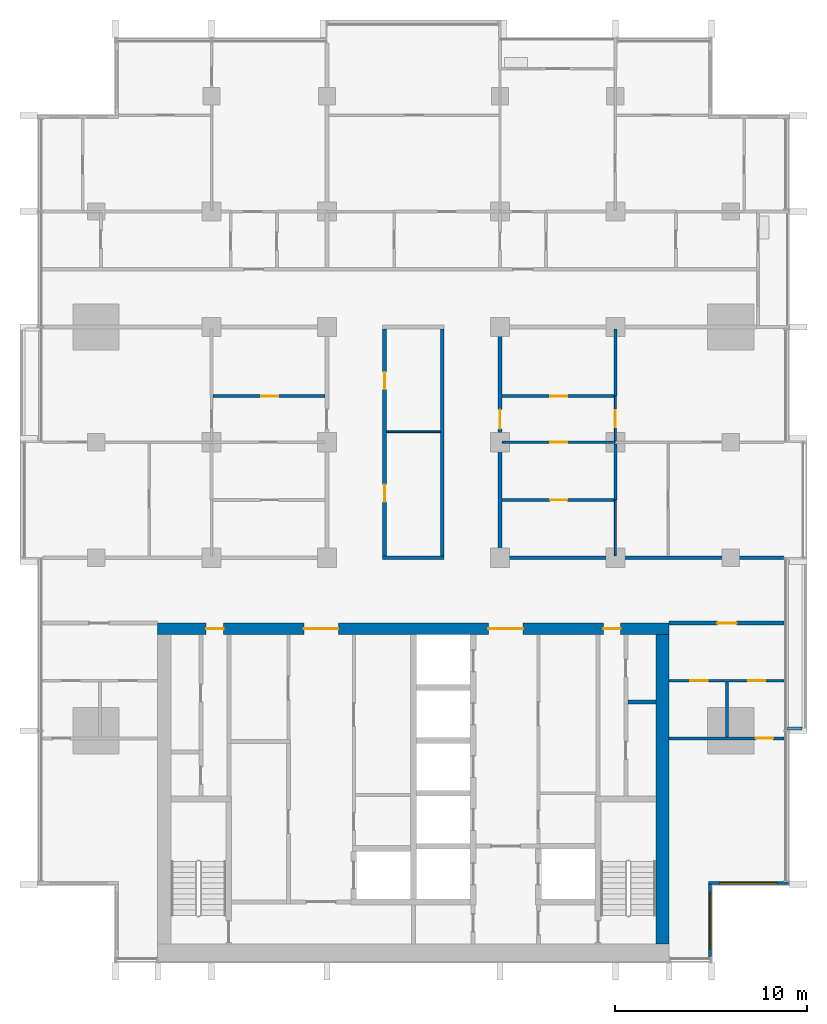
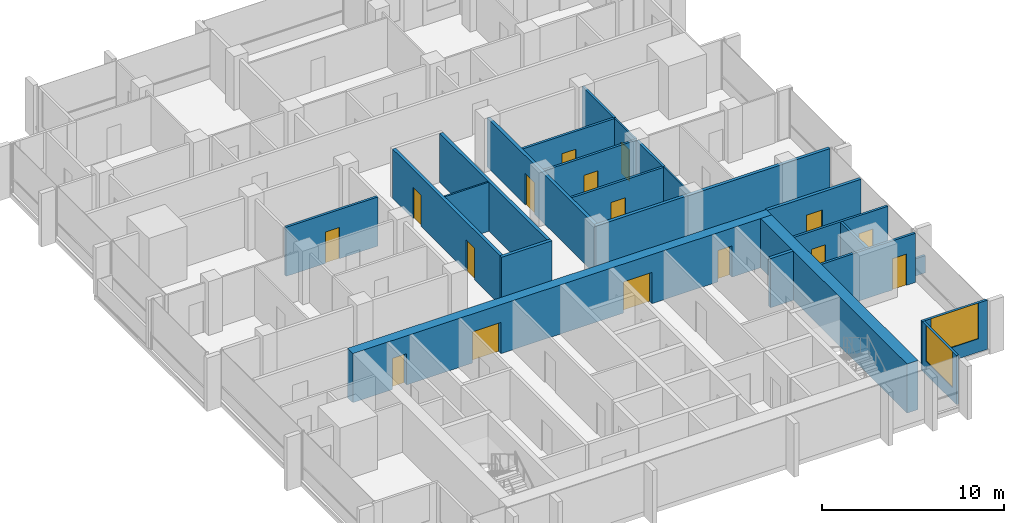
# One storey, part 9 of 17: 24 walls, 16 doors, 2 windows, 18 openings.
"""IFC4 building model written with IfcOpenShell, lengths in metres."""

from ifc_helpers import new_model, si_unit, direction, frame, frame_2d, origin, place, context, subcontext, project, spatial, rectangle, extrude, material, layer, layer_set, type_object, element, fill, save


model = new_model("IFC4")

# Units and contexts
model_context = context("Model", 3, precision=1e-05, world=origin(), true_north=direction((0.0, 1.0)))
body_context = subcontext(model_context, "Body", "Model", "MODEL_VIEW")
ifc_project = project(units=[si_unit("LENGTHUNIT", "METRE"), si_unit("AREAUNIT", "SQUARE_METRE"), si_unit("VOLUMEUNIT", "CUBIC_METRE"), si_unit("PLANEANGLEUNIT", "RADIAN"), si_unit("MASSUNIT", "GRAM", prefix="KILO")], contexts=[model_context])

# Site, building, storey
site_placement = place(None, origin())
site = spatial("IfcSite", under=ifc_project, at=site_placement, CompositionType="ELEMENT")
building_placement = place(site_placement, origin())
building = spatial("IfcBuilding", under=site, at=building_placement, Name="Finial Court Residences", CompositionType="ELEMENT")
storey_placement = place(building_placement, frame((0.0, 0.0, 170.89990234375)))
storey = spatial("IfcBuildingStorey", under=building, at=storey_placement, Name="L42", CompositionType="ELEMENT", Elevation=170.89990234375)

# Wall, openings, doors
ifc_material_1 = material(Name="Concrete C70/85", Category="concrete")
ifc_layer_1 = layer(ifc_material_1, 0.60009765625)
ifc_layer_set_1 = layer_set([ifc_layer_1], Name="Core outer wall 600 Concrete C70/85")
wall_type_1 = type_object("IfcWallType", Name="Core outer wall 600 Concrete C70/85", PredefinedType="SHEAR", material=ifc_layer_set_1)
wall_1_placement = place(storey_placement, frame((-13.300048828125, -8.199951171875, 0.0), z_axis=(0.0, 0.0, 1.0), x_axis=(1.0, 0.0, 0.0)))
wall_1 = element("IfcWall", 1, at=wall_1_placement, inside=storey, type_object=wall_type_1, Name="Core outer wall L42-02", PredefinedType="SHEAR", context=body_context, shape_type="SweptSolid", body=[
    extrude(rectangle(XDim=26.60009765625, YDim=0.60009765625, at=frame_2d((13.300048828125, 0.0))), origin(), (0.0, 0.0, 1.0), 3.300048828125),
])
opening_1_placement = place(wall_1_placement, frame((7.60009765625, 0.0, 0.0)))
opening_1 = element("IfcOpeningElement", 2, at=opening_1_placement, cuts=wall_1, Name="Opening L42-C04", PredefinedType="OPENING", context=body_context, shape_type="SweptSolid", body=[
    extrude(rectangle(XDim=1.800048828125, YDim=2.10009765625, at=frame_2d((0.89990234375, 1.050048828125))), frame((0.0, 0.31005859375, 0.0), z_axis=(0.0, -1.0, 0.0), x_axis=(1.0, 0.0, 0.0)), (0.0, 0.0, 1.0), 0.6201171875),
])
opening_2_placement = place(wall_1_placement, frame((17.199951171875, 0.0, 0.0)))
opening_2 = element("IfcOpeningElement", 3, at=opening_2_placement, cuts=wall_1, Name="Opening L42-C05", PredefinedType="OPENING", context=body_context, shape_type="SweptSolid", body=[
    extrude(rectangle(XDim=1.800048828125, YDim=2.10009765625, at=frame_2d((0.89990234375, 1.050048828125))), frame((0.0, 0.31005859375, 0.0), z_axis=(0.0, -1.0, 0.0), x_axis=(1.0, 0.0, 0.0)), (0.0, 0.0, 1.0), 0.6201171875),
])
opening_3_placement = place(wall_1_placement, frame((2.52490234375, 0.0, 0.0)))
opening_3 = element("IfcOpeningElement", 4, at=opening_3_placement, cuts=wall_1, Name="Opening L42-C10", PredefinedType="OPENING", context=body_context, shape_type="SweptSolid", body=[
    extrude(rectangle(XDim=0.89990234375, YDim=2.10009765625, at=frame_2d((0.449951171875, 1.050048828125))), frame((0.0, 0.31005859375, 0.0), z_axis=(0.0, -1.0, 0.0), x_axis=(1.0, 0.0, 0.0)), (0.0, 0.0, 1.0), 0.6201171875),
])
opening_4_placement = place(wall_1_placement, frame((23.175048828125, 0.0, 0.0)))
opening_4 = element("IfcOpeningElement", 5, at=opening_4_placement, cuts=wall_1, Name="Opening L42-C11", PredefinedType="OPENING", context=body_context, shape_type="SweptSolid", body=[
    extrude(rectangle(XDim=0.89990234375, YDim=2.10009765625, at=frame_2d((0.449951171875, 1.050048828125))), frame((0.0, 0.31005859375, 0.0), z_axis=(0.0, -1.0, 0.0), x_axis=(1.0, 0.0, 0.0)), (0.0, 0.0, 1.0), 0.6201171875),
])
ifc_material_2 = material(Name="Steel fire door", Category="steel")
door_type_1 = type_object("IfcDoorType", Name="Lift lobby door 1800 x 2100 EI 60", OperationType="DOUBLE_DOOR_SINGLE_SWING", PredefinedType="DOOR", material=ifc_material_2)
door_1_placement = place(opening_1_placement, origin())
door_1 = element("IfcDoor", 6, at=door_1_placement, inside=storey, type_object=door_type_1, Name="Lift lobby door L42-C04", OperationType="DOUBLE_DOOR_SINGLE_SWING", OverallHeight=2.10009765625, OverallWidth=1.800048828125, PredefinedType="DOOR", context=body_context, shape_type="SweptSolid", body=[
    extrude(rectangle(XDim=1.800048828125, YDim=2.10009765625, at=frame_2d((0.89990234375, 1.050048828125))), frame((0.0, 0.02490234375, 0.0), z_axis=(0.0, -1.0, 0.0), x_axis=(1.0, 0.0, 0.0)), (0.0, 0.0, 1.0), 0.050048828125),
])
fill(opening_1, door_1)
door_2_placement = place(opening_2_placement, origin())
door_2 = element("IfcDoor", 7, at=door_2_placement, inside=storey, type_object=door_type_1, Name="Lift lobby door L42-C05", OperationType="DOUBLE_DOOR_SINGLE_SWING", OverallHeight=2.10009765625, OverallWidth=1.800048828125, PredefinedType="DOOR", context=body_context, shape_type="SweptSolid", body=[
    extrude(rectangle(XDim=1.800048828125, YDim=2.10009765625, at=frame_2d((0.89990234375, 1.050048828125))), frame((0.0, 0.02490234375, 0.0), z_axis=(0.0, -1.0, 0.0), x_axis=(1.0, 0.0, 0.0)), (0.0, 0.0, 1.0), 0.050048828125),
])
fill(opening_2, door_2)
door_type_2 = type_object("IfcDoorType", Name="Riser room door 900 x 2100 EI 90", OperationType="NOTDEFINED", PredefinedType="DOOR", material=ifc_material_2)
door_3_placement = place(opening_3_placement, origin())
door_3 = element("IfcDoor", 8, at=door_3_placement, inside=storey, type_object=door_type_2, Name="Riser room door L42-C10", OperationType="SINGLE_SWING_RIGHT", OverallHeight=2.10009765625, OverallWidth=0.89990234375, PredefinedType="DOOR", context=body_context, shape_type="SweptSolid", body=[
    extrude(rectangle(XDim=0.89990234375, YDim=2.10009765625, at=frame_2d((0.449951171875, 1.050048828125))), frame((0.0, 0.02490234375, 0.0), z_axis=(0.0, -1.0, 0.0), x_axis=(1.0, 0.0, 0.0)), (0.0, 0.0, 1.0), 0.050048828125),
])
fill(opening_3, door_3)
door_4_placement = place(opening_4_placement, origin())
door_4 = element("IfcDoor", 9, at=door_4_placement, inside=storey, type_object=door_type_2, Name="Riser room door L42-C11", OperationType="SINGLE_SWING_LEFT", OverallHeight=2.10009765625, OverallWidth=0.89990234375, PredefinedType="DOOR", context=body_context, shape_type="SweptSolid", body=[
    extrude(rectangle(XDim=0.89990234375, YDim=2.10009765625, at=frame_2d((0.449951171875, 1.050048828125))), frame((0.0, 0.02490234375, 0.0), z_axis=(0.0, -1.0, 0.0), x_axis=(1.0, 0.0, 0.0)), (0.0, 0.0, 1.0), 0.050048828125),
])
fill(opening_4, door_4)

# Wall
ifc_layer_2 = layer(ifc_material_1, 0.699951171875)
ifc_layer_set_2 = layer_set([ifc_layer_2], Name="Core outer wall 700 Concrete C70/85")
wall_type_2 = type_object("IfcWallType", Name="Core outer wall 700 Concrete C70/85", PredefinedType="SHEAR", material=ifc_layer_set_2)
wall_2_placement = place(storey_placement, frame((12.949951171875, -24.60009765625, 0.0), z_axis=(0.0, 0.0, 1.0), x_axis=(0.0, 1.0, 0.0)))
element("IfcWall", 10, at=wall_2_placement, inside=storey, type_object=wall_type_2, Name="Core outer wall L42-04", PredefinedType="SHEAR", context=body_context, shape_type="SweptSolid", body=[
    extrude(rectangle(XDim=16.10009765625, YDim=0.699951171875, at=frame_2d((8.050048828125, 0.0))), origin(), (0.0, 0.0, 1.0), 3.300048828125),
])

# Wall, opening, door
ifc_material_3 = material(Name="Gypsum board")
ifc_layer_3 = layer(ifc_material_3, 0.02490234375)
ifc_material_4 = material(Name="Acoustic mineral wool in double frame")
ifc_layer_4 = layer(ifc_material_4, 0.14990234375)
ifc_layer_5 = layer(ifc_material_3, 0.02490234375)
ifc_layer_set_3 = layer_set([ifc_layer_3, ifc_layer_4, ifc_layer_5], Name="Corridor wall 200, 1 hour")
wall_type_3 = type_object("IfcWallType", Name="Corridor wall 200, 1 hour", PredefinedType="PARTITIONING", material=ifc_layer_set_3)
wall_3_placement = place(storey_placement, frame((13.300048828125, -7.89990234375, 0.0), z_axis=(0.0, 0.0, 1.0), x_axis=(1.0, 0.0, 0.0)))
wall_3 = element("IfcWall", 11, at=wall_3_placement, inside=storey, type_object=wall_type_3, Name="Partition L42-005", PredefinedType="PARTITIONING", context=body_context, shape_type="SweptSolid", body=[
    extrude(rectangle(XDim=5.96240234375, YDim=0.199951171875, at=frame_2d((2.981201171875, 0.0))), origin(), (0.0, 0.0, 1.0), 3.300048828125),
])
opening_5_placement = place(wall_3_placement, frame((2.5, 0.0, 0.0)))
opening_5 = element("IfcOpeningElement", 12, at=opening_5_placement, cuts=wall_3, Name="Opening L42-D008", PredefinedType="OPENING", context=body_context, shape_type="SweptSolid", body=[
    extrude(rectangle(XDim=1.0, YDim=2.10009765625, at=frame_2d((0.5, 1.050048828125))), frame((0.0, 0.10986328125, 0.0), z_axis=(0.0, -1.0, 0.0), x_axis=(1.0, 0.0, 0.0)), (0.0, 0.0, 1.0), 0.219970703125),
])
ifc_material_5 = material(Name="Timber door leaf in hollow metal frame", Category="wood")
door_type_3 = type_object("IfcDoorType", Name="Fire door set 1000 x 2100, 30 minutes", OperationType="SINGLE_SWING_LEFT", PredefinedType="DOOR", material=ifc_material_5)
door_5_placement = place(opening_5_placement, origin())
door_5 = element("IfcDoor", 13, at=door_5_placement, inside=storey, type_object=door_type_3, Name="Door L42-D008", OperationType="SINGLE_SWING_LEFT", OverallHeight=2.10009765625, OverallWidth=1.0, PredefinedType="DOOR", context=body_context, shape_type="SweptSolid", body=[
    extrude(rectangle(XDim=1.0, YDim=2.10009765625, at=frame_2d((0.5, 1.050048828125))), frame((0.0, 0.02490234375, 0.0), z_axis=(0.0, -1.0, 0.0), x_axis=(1.0, 0.0, 0.0)), (0.0, 0.0, 1.0), 0.050048828125),
])
fill(opening_5, door_5)

# Walls
wall_4_placement = place(storey_placement, frame((-1.60009765625, -4.5, 0.0), z_axis=(0.0, 0.0, 1.0), x_axis=(1.0, 0.0, 0.0)))
element("IfcWall", 14, at=wall_4_placement, inside=storey, type_object=wall_type_3, Name="Partition L42-007", PredefinedType="PARTITIONING", context=body_context, shape_type="SweptSolid", body=[
    extrude(rectangle(XDim=3.2001953125, YDim=0.199951171875, at=frame_2d((1.60009765625, 0.0))), origin(), (0.0, 0.0, 1.0), 3.300048828125),
])
wall_5_placement = place(storey_placement, frame((4.39990234375, -4.5, 0.0), z_axis=(0.0, 0.0, 1.0), x_axis=(1.0, 0.0, 0.0)))
element("IfcWall", 15, at=wall_5_placement, inside=storey, type_object=wall_type_3, Name="Partition L42-008", PredefinedType="PARTITIONING", context=body_context, shape_type="SweptSolid", body=[
    extrude(rectangle(XDim=14.862548828125, YDim=0.199951171875, at=frame_2d((7.43115234375, 0.0))), origin(), (0.0, 0.0, 1.0), 3.300048828125),
])

# Wall, openings, doors
wall_6_placement = place(storey_placement, frame((-1.5, -4.39990234375, 0.0), z_axis=(0.0, 0.0, 1.0), x_axis=(0.0, 1.0, 0.0)))
wall_6 = element("IfcWall", 16, at=wall_6_placement, inside=storey, type_object=wall_type_3, Name="Partition L42-050", PredefinedType="PARTITIONING", context=body_context, shape_type="SweptSolid", body=[
    extrude(rectangle(XDim=11.7998046875, YDim=0.199951171875, at=frame_2d((5.89990234375, 0.0))), origin(), (0.0, 0.0, 1.0), 3.300048828125),
])
opening_6_placement = place(wall_6_placement, frame((2.800048828125, 0.0, 0.0)))
opening_6 = element("IfcOpeningElement", 17, at=opening_6_placement, cuts=wall_6, Name="Opening L42-D033", PredefinedType="OPENING", context=body_context, shape_type="SweptSolid", body=[
    extrude(rectangle(XDim=0.89990234375, YDim=2.10009765625, at=frame_2d((0.449951171875, 1.050048828125))), frame((0.0, 0.10986328125, 0.0), z_axis=(0.0, -1.0, 0.0), x_axis=(1.0, 0.0, 0.0)), (0.0, 0.0, 1.0), 0.219970703125),
])
opening_7_placement = place(wall_6_placement, frame((8.64990234375, 0.0, 0.0)))
opening_7 = element("IfcOpeningElement", 18, at=opening_7_placement, cuts=wall_6, Name="Opening L42-D034", PredefinedType="OPENING", context=body_context, shape_type="SweptSolid", body=[
    extrude(rectangle(XDim=0.89990234375, YDim=2.10009765625, at=frame_2d((0.449951171875, 1.050048828125))), frame((0.0, 0.10986328125, 0.0), z_axis=(0.0, -1.0, 0.0), x_axis=(1.0, 0.0, 0.0)), (0.0, 0.0, 1.0), 0.219970703125),
])
door_type_4 = type_object("IfcDoorType", Name="Fire door set 900 x 2100, 30 minutes", OperationType="SINGLE_SWING_LEFT", PredefinedType="DOOR", material=ifc_material_5)
door_6_placement = place(opening_6_placement, origin())
door_6 = element("IfcDoor", 19, at=door_6_placement, inside=storey, type_object=door_type_4, Name="Door L42-D033", OperationType="SINGLE_SWING_LEFT", OverallHeight=2.10009765625, OverallWidth=0.89990234375, PredefinedType="DOOR", context=body_context, shape_type="SweptSolid", body=[
    extrude(rectangle(XDim=0.89990234375, YDim=2.10009765625, at=frame_2d((0.449951171875, 1.050048828125))), frame((0.0, 0.02490234375, 0.0), z_axis=(0.0, -1.0, 0.0), x_axis=(1.0, 0.0, 0.0)), (0.0, 0.0, 1.0), 0.050048828125),
])
fill(opening_6, door_6)
door_7_placement = place(opening_7_placement, origin())
door_7 = element("IfcDoor", 20, at=door_7_placement, inside=storey, type_object=door_type_4, Name="Door L42-D034", OperationType="SINGLE_SWING_RIGHT", OverallHeight=2.10009765625, OverallWidth=0.89990234375, PredefinedType="DOOR", context=body_context, shape_type="SweptSolid", body=[
    extrude(rectangle(XDim=0.89990234375, YDim=2.10009765625, at=frame_2d((0.449951171875, 1.050048828125))), frame((0.0, 0.02490234375, 0.0), z_axis=(0.0, -1.0, 0.0), x_axis=(1.0, 0.0, 0.0)), (0.0, 0.0, 1.0), 0.050048828125),
])
fill(opening_7, door_7)

# Wall
wall_7_placement = place(storey_placement, frame((1.5, -4.39990234375, 0.0), z_axis=(0.0, 0.0, 1.0), x_axis=(0.0, 1.0, 0.0)))
element("IfcWall", 21, at=wall_7_placement, inside=storey, type_object=wall_type_3, Name="Partition L42-052", PredefinedType="PARTITIONING", context=body_context, shape_type="SweptSolid", body=[
    extrude(rectangle(XDim=11.7998046875, YDim=0.199951171875, at=frame_2d((5.89990234375, 0.0))), origin(), (0.0, 0.0, 1.0), 3.300048828125),
])

# Wall, opening, door
wall_8_placement = place(storey_placement, frame((4.5, -4.39990234375, 0.0), z_axis=(0.0, 0.0, 1.0), x_axis=(0.0, 1.0, 0.0)))
wall_8 = element("IfcWall", 22, at=wall_8_placement, inside=storey, type_object=wall_type_3, Name="Partition L42-053", PredefinedType="PARTITIONING", context=body_context, shape_type="SweptSolid", body=[
    extrude(rectangle(XDim=11.7998046875, YDim=0.199951171875, at=frame_2d((5.89990234375, 0.0))), origin(), (0.0, 0.0, 1.0), 3.300048828125),
])
opening_8_placement = place(wall_8_placement, frame((6.60009765625, 0.0, 0.0)))
opening_8 = element("IfcOpeningElement", 23, at=opening_8_placement, cuts=wall_8, Name="Opening L42-D036", PredefinedType="OPENING", context=body_context, shape_type="SweptSolid", body=[
    extrude(rectangle(XDim=1.0, YDim=2.10009765625, at=frame_2d((0.5, 1.050048828125))), frame((0.0, 0.10986328125, 0.0), z_axis=(0.0, -1.0, 0.0), x_axis=(1.0, 0.0, 0.0)), (0.0, 0.0, 1.0), 0.219970703125),
])
door_8_placement = place(opening_8_placement, origin())
door_8 = element("IfcDoor", 24, at=door_8_placement, inside=storey, type_object=door_type_3, Name="Door L42-D036", OperationType="SINGLE_SWING_RIGHT", OverallHeight=2.10009765625, OverallWidth=1.0, PredefinedType="DOOR", context=body_context, shape_type="SweptSolid", body=[
    extrude(rectangle(XDim=1.0, YDim=2.10009765625, at=frame_2d((0.5, 1.050048828125))), frame((0.0, 0.02490234375, 0.0), z_axis=(0.0, -1.0, 0.0), x_axis=(1.0, 0.0, 0.0)), (0.0, 0.0, 1.0), 0.050048828125),
])
fill(opening_8, door_8)

# Walls
ifc_layer_6 = layer(ifc_material_3, 0.012451171875)
ifc_material_6 = material(Name="Mineral wool in light-gauge frame")
ifc_layer_7 = layer(ifc_material_6, 0.074951171875)
ifc_layer_8 = layer(ifc_material_3, 0.012451171875)
ifc_layer_set_4 = layer_set([ifc_layer_6, ifc_layer_7, ifc_layer_8], Name="Gypsum board partition 100")
wall_type_4 = type_object("IfcWallType", Name="Gypsum board partition 100", PredefinedType="PARTITIONING", material=ifc_layer_set_4)
wall_9_placement = place(storey_placement, frame((-1.39990234375, 2.050048828125, 0.0), z_axis=(0.0, 0.0, 1.0), x_axis=(1.0, 0.0, 0.0)))
element("IfcWall", 25, at=wall_9_placement, inside=storey, type_object=wall_type_4, Name="Partition L42-015", PredefinedType="PARTITIONING", context=body_context, shape_type="SweptSolid", body=[
    extrude(rectangle(XDim=2.7998046875, YDim=0.10009765625, at=frame_2d((1.39990234375, 0.0))), origin(), (0.0, 0.0, 1.0), 3.300048828125),
])
wall_10_placement = place(storey_placement, frame((10.5, -4.39990234375, 0.0), z_axis=(0.0, 0.0, 1.0), x_axis=(0.0, 1.0, 0.0)))
element("IfcWall", 26, at=wall_10_placement, inside=storey, type_object=wall_type_4, Name="Partition L42-057", PredefinedType="PARTITIONING", context=body_context, shape_type="SweptSolid", body=[
    extrude(rectangle(XDim=2.89990234375, YDim=0.10009765625, at=frame_2d((1.449951171875, 0.0))), origin(), (0.0, 0.0, 1.0), 3.300048828125),
])

# Wall, opening, door
wall_11_placement = place(storey_placement, frame((10.5, 1.574951171875, 0.0), z_axis=(0.0, 0.0, 1.0), x_axis=(0.0, 1.0, 0.0)))
wall_11 = element("IfcWall", 27, at=wall_11_placement, inside=storey, type_object=wall_type_4, Name="Partition L42-058", PredefinedType="PARTITIONING", context=body_context, shape_type="SweptSolid", body=[
    extrude(rectangle(XDim=2.324951171875, YDim=0.10009765625, at=frame_2d((1.16259765625, 0.0))), origin(), (0.0, 0.0, 1.0), 3.300048828125),
])
opening_9_placement = place(wall_11_placement, frame((0.699951171875, 0.0, 0.0)))
opening_9 = element("IfcOpeningElement", 28, at=opening_9_placement, cuts=wall_11, Name="Opening L42-D039", PredefinedType="OPENING", context=body_context, shape_type="SweptSolid", body=[
    extrude(rectangle(XDim=0.89990234375, YDim=2.10009765625, at=frame_2d((0.449951171875, 1.050048828125))), frame((0.0, 0.06005859375, 0.0), z_axis=(0.0, -1.0, 0.0), x_axis=(1.0, 0.0, 0.0)), (0.0, 0.0, 1.0), 0.1201171875),
])
ifc_material_7 = material(Name="Timber door leaf in timber frame", Category="wood")
door_type_5 = type_object("IfcDoorType", Name="Door set 900 x 2100", OperationType="SINGLE_SWING_LEFT", PredefinedType="DOOR", material=ifc_material_7)
door_9_placement = place(opening_9_placement, origin())
door_9 = element("IfcDoor", 29, at=door_9_placement, inside=storey, type_object=door_type_5, Name="Door L42-D039", OperationType="SINGLE_SWING_RIGHT", OverallHeight=2.10009765625, OverallWidth=0.89990234375, PredefinedType="DOOR", context=body_context, shape_type="SweptSolid", body=[
    extrude(rectangle(XDim=0.89990234375, YDim=2.10009765625, at=frame_2d((0.449951171875, 1.050048828125))), frame((0.0, 0.02490234375, 0.0), z_axis=(0.0, -1.0, 0.0), x_axis=(1.0, 0.0, 0.0)), (0.0, 0.0, 1.0), 0.050048828125),
])
fill(opening_9, door_9)

ifc_material_8 = material(Name="Moisture-resistant gypsum board")
ifc_layer_9 = layer(ifc_material_8, 0.012451171875)
ifc_layer_10 = layer(ifc_material_6, 0.125)
ifc_layer_11 = layer(ifc_material_8, 0.012451171875)
ifc_layer_set_5 = layer_set([ifc_layer_9, ifc_layer_10, ifc_layer_11], Name="Gypsum board wet-area partition 150")
wall_type_5 = type_object("IfcWallType", Name="Gypsum board wet-area partition 150", PredefinedType="PARTITIONING", material=ifc_layer_set_5)
wall_12_placement = place(storey_placement, frame((13.300048828125, -13.89990234375, 0.0), z_axis=(0.0, 0.0, 1.0), x_axis=(1.0, 0.0, 0.0)))
wall_12 = element("IfcWall", 30, at=wall_12_placement, inside=storey, type_object=wall_type_5, Name="Partition L42-001", PredefinedType="PARTITIONING", context=body_context, shape_type="SweptSolid", body=[
    extrude(rectangle(XDim=5.96240234375, YDim=0.14990234375, at=frame_2d((2.981201171875, 0.0))), origin(), (0.0, 0.0, 1.0), 3.300048828125),
])
opening_10_placement = place(wall_12_placement, frame((4.5, 0.0, 0.0)))
opening_10 = element("IfcOpeningElement", 31, at=opening_10_placement, cuts=wall_12, Name="Opening L42-D002", PredefinedType="OPENING", context=body_context, shape_type="SweptSolid", body=[
    extrude(rectangle(XDim=0.89990234375, YDim=2.10009765625, at=frame_2d((0.449951171875, 1.050048828125))), frame((0.0, 0.0849609375, 0.0), z_axis=(0.0, -1.0, 0.0), x_axis=(1.0, 0.0, 0.0)), (0.0, 0.0, 1.0), 0.169921875),
])
door_10_placement = place(opening_10_placement, origin())
door_10 = element("IfcDoor", 32, at=door_10_placement, inside=storey, type_object=door_type_5, Name="Door L42-D002", OperationType="SINGLE_SWING_RIGHT", OverallHeight=2.10009765625, OverallWidth=0.89990234375, PredefinedType="DOOR", context=body_context, shape_type="SweptSolid", body=[
    extrude(rectangle(XDim=0.89990234375, YDim=2.10009765625, at=frame_2d((0.449951171875, 1.050048828125))), frame((0.0, 0.02490234375, 0.0), z_axis=(0.0, -1.0, 0.0), x_axis=(1.0, 0.0, 0.0)), (0.0, 0.0, 1.0), 0.050048828125),
])
fill(opening_10, door_10)

# Wall, openings, doors
wall_13_placement = place(storey_placement, frame((13.300048828125, -10.89990234375, 0.0), z_axis=(0.0, 0.0, 1.0), x_axis=(1.0, 0.0, 0.0)))
wall_13 = element("IfcWall", 33, at=wall_13_placement, inside=storey, type_object=wall_type_5, Name="Partition L42-003", PredefinedType="PARTITIONING", context=body_context, shape_type="SweptSolid", body=[
    extrude(rectangle(XDim=5.96240234375, YDim=0.14990234375, at=frame_2d((2.981201171875, 0.0))), origin(), (0.0, 0.0, 1.0), 3.300048828125),
])
opening_11_placement = place(wall_13_placement, frame((1.10009765625, 0.0, 0.0)))
opening_11 = element("IfcOpeningElement", 34, at=opening_11_placement, cuts=wall_13, Name="Opening L42-D005", PredefinedType="OPENING", context=body_context, shape_type="SweptSolid", body=[
    extrude(rectangle(XDim=0.89990234375, YDim=2.10009765625, at=frame_2d((0.449951171875, 1.050048828125))), frame((0.0, 0.0849609375, 0.0), z_axis=(0.0, -1.0, 0.0), x_axis=(1.0, 0.0, 0.0)), (0.0, 0.0, 1.0), 0.169921875),
])
opening_12_placement = place(wall_13_placement, frame((4.10009765625, 0.0, 0.0)))
opening_12 = element("IfcOpeningElement", 35, at=opening_12_placement, cuts=wall_13, Name="Opening L42-D006", PredefinedType="OPENING", context=body_context, shape_type="SweptSolid", body=[
    extrude(rectangle(XDim=0.89990234375, YDim=2.10009765625, at=frame_2d((0.449951171875, 1.050048828125))), frame((0.0, 0.0849609375, 0.0), z_axis=(0.0, -1.0, 0.0), x_axis=(1.0, 0.0, 0.0)), (0.0, 0.0, 1.0), 0.169921875),
])
door_11_placement = place(opening_11_placement, origin())
door_11 = element("IfcDoor", 36, at=door_11_placement, inside=storey, type_object=door_type_5, Name="Door L42-D005", OperationType="SINGLE_SWING_LEFT", OverallHeight=2.10009765625, OverallWidth=0.89990234375, PredefinedType="DOOR", context=body_context, shape_type="SweptSolid", body=[
    extrude(rectangle(XDim=0.89990234375, YDim=2.10009765625, at=frame_2d((0.449951171875, 1.050048828125))), frame((0.0, 0.02490234375, 0.0), z_axis=(0.0, -1.0, 0.0), x_axis=(1.0, 0.0, 0.0)), (0.0, 0.0, 1.0), 0.050048828125),
])
fill(opening_11, door_11)
door_12_placement = place(opening_12_placement, origin())
door_12 = element("IfcDoor", 37, at=door_12_placement, inside=storey, type_object=door_type_5, Name="Door L42-D006", OperationType="SINGLE_SWING_RIGHT", OverallHeight=2.10009765625, OverallWidth=0.89990234375, PredefinedType="DOOR", context=body_context, shape_type="SweptSolid", body=[
    extrude(rectangle(XDim=0.89990234375, YDim=2.10009765625, at=frame_2d((0.449951171875, 1.050048828125))), frame((0.0, 0.02490234375, 0.0), z_axis=(0.0, -1.0, 0.0), x_axis=(1.0, 0.0, 0.0)), (0.0, 0.0, 1.0), 0.050048828125),
])
fill(opening_12, door_12)

# Wall, opening, door
wall_14_placement = place(storey_placement, frame((4.60009765625, -1.5, 0.0), z_axis=(0.0, 0.0, 1.0), x_axis=(1.0, 0.0, 0.0)))
wall_14 = element("IfcWall", 38, at=wall_14_placement, inside=storey, type_object=wall_type_5, Name="Partition L42-010", PredefinedType="PARTITIONING", context=body_context, shape_type="SweptSolid", body=[
    extrude(rectangle(XDim=5.824951171875, YDim=0.14990234375, at=frame_2d((2.91259765625, 0.0))), origin(), (0.0, 0.0, 1.0), 3.300048828125),
])
opening_13_placement = place(wall_14_placement, frame((2.5, 0.0, 0.0)))
opening_13 = element("IfcOpeningElement", 39, at=opening_13_placement, cuts=wall_14, Name="Opening L42-D010", PredefinedType="OPENING", context=body_context, shape_type="SweptSolid", body=[
    extrude(rectangle(XDim=0.89990234375, YDim=2.10009765625, at=frame_2d((0.449951171875, 1.050048828125))), frame((0.0, 0.0849609375, 0.0), z_axis=(0.0, -1.0, 0.0), x_axis=(1.0, 0.0, 0.0)), (0.0, 0.0, 1.0), 0.169921875),
])
door_13_placement = place(opening_13_placement, origin())
door_13 = element("IfcDoor", 40, at=door_13_placement, inside=storey, type_object=door_type_5, Name="Door L42-D010", OperationType="SINGLE_SWING_RIGHT", OverallHeight=2.10009765625, OverallWidth=0.89990234375, PredefinedType="DOOR", context=body_context, shape_type="SweptSolid", body=[
    extrude(rectangle(XDim=0.89990234375, YDim=2.10009765625, at=frame_2d((0.449951171875, 1.050048828125))), frame((0.0, 0.02490234375, 0.0), z_axis=(0.0, -1.0, 0.0), x_axis=(1.0, 0.0, 0.0)), (0.0, 0.0, 1.0), 0.050048828125),
])
fill(opening_13, door_13)

wall_15_placement = place(storey_placement, frame((4.60009765625, 1.5, 0.0), z_axis=(0.0, 0.0, 1.0), x_axis=(1.0, 0.0, 0.0)))
wall_15 = element("IfcWall", 41, at=wall_15_placement, inside=storey, type_object=wall_type_5, Name="Partition L42-014", PredefinedType="PARTITIONING", context=body_context, shape_type="SweptSolid", body=[
    extrude(rectangle(XDim=5.89990234375, YDim=0.14990234375, at=frame_2d((2.949951171875, 0.0))), origin(), (0.0, 0.0, 1.0), 3.300048828125),
])
opening_14_placement = place(wall_15_placement, frame((2.5, 0.0, 0.0)))
opening_14 = element("IfcOpeningElement", 42, at=opening_14_placement, cuts=wall_15, Name="Opening L42-D014", PredefinedType="OPENING", context=body_context, shape_type="SweptSolid", body=[
    extrude(rectangle(XDim=0.89990234375, YDim=2.10009765625, at=frame_2d((0.449951171875, 1.050048828125))), frame((0.0, 0.0849609375, 0.0), z_axis=(0.0, -1.0, 0.0), x_axis=(1.0, 0.0, 0.0)), (0.0, 0.0, 1.0), 0.169921875),
])
door_14_placement = place(opening_14_placement, origin())
door_14 = element("IfcDoor", 43, at=door_14_placement, inside=storey, type_object=door_type_5, Name="Door L42-D014", OperationType="SINGLE_SWING_RIGHT", OverallHeight=2.10009765625, OverallWidth=0.89990234375, PredefinedType="DOOR", context=body_context, shape_type="SweptSolid", body=[
    extrude(rectangle(XDim=0.89990234375, YDim=2.10009765625, at=frame_2d((0.449951171875, 1.050048828125))), frame((0.0, 0.02490234375, 0.0), z_axis=(0.0, -1.0, 0.0), x_axis=(1.0, 0.0, 0.0)), (0.0, 0.0, 1.0), 0.050048828125),
])
fill(opening_14, door_14)

wall_16_placement = place(storey_placement, frame((-10.425048828125, 3.89990234375, 0.0), z_axis=(0.0, 0.0, 1.0), x_axis=(1.0, 0.0, 0.0)))
wall_16 = element("IfcWall", 44, at=wall_16_placement, inside=storey, type_object=wall_type_5, Name="Partition L42-016", PredefinedType="PARTITIONING", context=body_context, shape_type="SweptSolid", body=[
    extrude(rectangle(XDim=5.824951171875, YDim=0.14990234375, at=frame_2d((2.91259765625, 0.0))), origin(), (0.0, 0.0, 1.0), 3.300048828125),
])
opening_15_placement = place(wall_16_placement, frame((2.5, 0.0, 0.0)))
opening_15 = element("IfcOpeningElement", 45, at=opening_15_placement, cuts=wall_16, Name="Opening L42-D015", PredefinedType="OPENING", context=body_context, shape_type="SweptSolid", body=[
    extrude(rectangle(XDim=0.89990234375, YDim=2.10009765625, at=frame_2d((0.449951171875, 1.050048828125))), frame((0.0, 0.0849609375, 0.0), z_axis=(0.0, -1.0, 0.0), x_axis=(1.0, 0.0, 0.0)), (0.0, 0.0, 1.0), 0.169921875),
])
door_15_placement = place(opening_15_placement, origin())
door_15 = element("IfcDoor", 46, at=door_15_placement, inside=storey, type_object=door_type_5, Name="Door L42-D015", OperationType="SINGLE_SWING_RIGHT", OverallHeight=2.10009765625, OverallWidth=0.89990234375, PredefinedType="DOOR", context=body_context, shape_type="SweptSolid", body=[
    extrude(rectangle(XDim=0.89990234375, YDim=2.10009765625, at=frame_2d((0.449951171875, 1.050048828125))), frame((0.0, 0.02490234375, 0.0), z_axis=(0.0, -1.0, 0.0), x_axis=(1.0, 0.0, 0.0)), (0.0, 0.0, 1.0), 0.050048828125),
])
fill(opening_15, door_15)

wall_17_placement = place(storey_placement, frame((4.60009765625, 3.89990234375, 0.0), z_axis=(0.0, 0.0, 1.0), x_axis=(1.0, 0.0, 0.0)))
wall_17 = element("IfcWall", 47, at=wall_17_placement, inside=storey, type_object=wall_type_5, Name="Partition L42-017", PredefinedType="PARTITIONING", context=body_context, shape_type="SweptSolid", body=[
    extrude(rectangle(XDim=5.824951171875, YDim=0.14990234375, at=frame_2d((2.91259765625, 0.0))), origin(), (0.0, 0.0, 1.0), 3.300048828125),
])
opening_16_placement = place(wall_17_placement, frame((2.5, 0.0, 0.0)))
opening_16 = element("IfcOpeningElement", 48, at=opening_16_placement, cuts=wall_17, Name="Opening L42-D016", PredefinedType="OPENING", context=body_context, shape_type="SweptSolid", body=[
    extrude(rectangle(XDim=0.89990234375, YDim=2.10009765625, at=frame_2d((0.449951171875, 1.050048828125))), frame((0.0, 0.0849609375, 0.0), z_axis=(0.0, -1.0, 0.0), x_axis=(1.0, 0.0, 0.0)), (0.0, 0.0, 1.0), 0.169921875),
])
door_16_placement = place(opening_16_placement, origin())
door_16 = element("IfcDoor", 49, at=door_16_placement, inside=storey, type_object=door_type_5, Name="Door L42-D016", OperationType="SINGLE_SWING_RIGHT", OverallHeight=2.10009765625, OverallWidth=0.89990234375, PredefinedType="DOOR", context=body_context, shape_type="SweptSolid", body=[
    extrude(rectangle(XDim=0.89990234375, YDim=2.10009765625, at=frame_2d((0.449951171875, 1.050048828125))), frame((0.0, 0.02490234375, 0.0), z_axis=(0.0, -1.0, 0.0), x_axis=(1.0, 0.0, 0.0)), (0.0, 0.0, 1.0), 0.050048828125),
])
fill(opening_16, door_16)

# Walls
wall_18_placement = place(storey_placement, frame((10.5, -1.5, 0.0), z_axis=(0.0, 0.0, 1.0), x_axis=(0.0, 1.0, 0.0)))
element("IfcWall", 50, at=wall_18_placement, inside=storey, type_object=wall_type_5, Name="Partition L42-060", PredefinedType="PARTITIONING", context=body_context, shape_type="SweptSolid", body=[
    extrude(rectangle(XDim=2.925048828125, YDim=0.14990234375, at=frame_2d((1.46240234375, 0.0))), origin(), (0.0, 0.0, 1.0), 3.300048828125),
])
wall_19_placement = place(storey_placement, frame((10.5, 3.89990234375, 0.0), z_axis=(0.0, 0.0, 1.0), x_axis=(0.0, 1.0, 0.0)))
element("IfcWall", 51, at=wall_19_placement, inside=storey, type_object=wall_type_5, Name="Partition L42-061", PredefinedType="PARTITIONING", context=body_context, shape_type="SweptSolid", body=[
    extrude(rectangle(XDim=3.5, YDim=0.14990234375, at=frame_2d((1.75, 0.0))), origin(), (0.0, 0.0, 1.0), 3.300048828125),
])
wall_20_placement = place(storey_placement, frame((16.300048828125, -13.824951171875, 0.0), z_axis=(0.0, 0.0, 1.0), x_axis=(0.0, 1.0, 0.0)))
element("IfcWall", 52, at=wall_20_placement, inside=storey, type_object=wall_type_5, Name="Partition L42-064", PredefinedType="PARTITIONING", context=body_context, shape_type="SweptSolid", body=[
    extrude(rectangle(XDim=2.849853515625, YDim=0.14990234375, at=frame_2d((1.4248046875, 0.0))), origin(), (0.0, 0.0, 1.0), 3.300048828125),
])
ifc_material_9 = material(Name="Concrete C35/45", Category="concrete")
ifc_layer_12 = layer(ifc_material_9, 0.14990234375)
ifc_layer_set_6 = layer_set([ifc_layer_12], Name="Ledge parapet, Concrete C35/45 150")
wall_type_6 = type_object("IfcWallType", Name="Ledge parapet, Concrete C35/45 150", PredefinedType="PARAPET", material=ifc_layer_set_6)
wall_21_placement = place(storey_placement, frame((20.199951171875, -13.375, 0.0), z_axis=(0.0, 0.0, 1.0), x_axis=(-1.0, 0.0, 0.0)))
element("IfcWall", 53, at=wall_21_placement, inside=storey, type_object=wall_type_6, Name="E-L42-LED2-P2", PredefinedType="PARAPET", context=body_context, shape_type="SweptSolid", body=[
    extrude(rectangle(XDim=0.75244140625, YDim=0.14990234375, at=frame_2d((0.376220703125, 0.0))), origin(), (0.0, 0.0, 1.0), 1.150146484375),
])

# Wall, opening, window
ifc_material_10 = material(Name="Natural limestone", Category="masonry")
ifc_layer_13 = layer(ifc_material_10, 0.14990234375)
ifc_layer_set_7 = layer_set([ifc_layer_13], Name="Limestone clad wall 150")
wall_type_7 = type_object("IfcWallType", Name="Limestone clad wall 150", PredefinedType="SOLIDWALL", material=ifc_layer_set_7)
wall_22_placement = place(storey_placement, frame((15.425048828125, -21.5, 0.0), z_axis=(0.0, 0.0, 1.0), x_axis=(0.0, -1.0, 0.0)))
wall_22 = element("IfcWall", 54, at=wall_22_placement, inside=storey, type_object=wall_type_7, Name="E-L42-NWE15", PredefinedType="SOLIDWALL", context=body_context, shape_type="SweptSolid", body=[
    extrude(rectangle(XDim=3.762451171875, YDim=0.14990234375, at=frame_2d((1.88134765625, 0.0))), origin(), (0.0, 0.0, 1.0), 3.300048828125),
])
opening_17_placement = place(wall_22_placement, frame((0.4013671875, 0.0, 0.89990234375)))
opening_17 = element("IfcOpeningElement", 55, at=opening_17_placement, cuts=wall_22, Name="Opening WE42-03", PredefinedType="OPENING", context=body_context, shape_type="SweptSolid", body=[
    extrude(rectangle(XDim=2.9599609375, YDim=2.39990234375, at=frame_2d((1.47998046875, 1.199951171875))), frame((0.0, 0.0849609375, 0.0), z_axis=(0.0, -1.0, 0.0), x_axis=(1.0, 0.0, 0.0)), (0.0, 0.0, 1.0), 0.169921875),
])
ifc_material_11 = material(Name="Clear low-e glass", Category="glass")
window_type_1 = type_object("IfcWindowType", Name="Corner window 2960 x 2400", PartitioningType="SINGLE_PANEL", PredefinedType="WINDOW", material=ifc_material_11)
window_1_placement = place(opening_17_placement, origin())
window_1 = element("IfcWindow", 56, at=window_1_placement, inside=storey, type_object=window_type_1, Name="E-L42-NWE15-W1", OverallHeight=2.39990234375, OverallWidth=2.9599609375, PartitioningType="SINGLE_PANEL", PredefinedType="WINDOW", context=body_context, shape_type="SweptSolid", body=[
    extrude(rectangle(XDim=2.9599609375, YDim=2.39990234375, at=frame_2d((1.47998046875, 1.199951171875))), frame((0.0, 0.030029296875, 0.0), z_axis=(0.0, -1.0, 0.0), x_axis=(1.0, 0.0, 0.0)), (0.0, 0.0, 1.0), 0.06005859375),
])
fill(opening_17, window_1)

wall_23_placement = place(storey_placement, frame((19.5, -21.425048828125, 0.0), z_axis=(0.0, 0.0, 1.0), x_axis=(-1.0, 0.0, 0.0)))
wall_23 = element("IfcWall", 57, at=wall_23_placement, inside=storey, type_object=wall_type_7, Name="E-L42-NWS16", PredefinedType="SOLIDWALL", context=body_context, shape_type="SweptSolid", body=[
    extrude(rectangle(XDim=4.14990234375, YDim=0.14990234375, at=frame_2d((2.074951171875, 0.0))), origin(), (0.0, 0.0, 1.0), 3.300048828125),
])
opening_18_placement = place(wall_23_placement, frame((0.574951171875, 0.0, 0.89990234375)))
opening_18 = element("IfcOpeningElement", 58, at=opening_18_placement, cuts=wall_23, Name="Opening WE42-04", PredefinedType="OPENING", context=body_context, shape_type="SweptSolid", body=[
    extrude(rectangle(XDim=3.0, YDim=2.39990234375, at=frame_2d((1.5, 1.199951171875))), frame((0.0, 0.0849609375, 0.0), z_axis=(0.0, -1.0, 0.0), x_axis=(1.0, 0.0, 0.0)), (0.0, 0.0, 1.0), 0.169921875),
])
window_type_2 = type_object("IfcWindowType", Name="Corner window 3000 x 2400", PartitioningType="SINGLE_PANEL", PredefinedType="WINDOW", material=ifc_material_11)
window_2_placement = place(opening_18_placement, origin())
window_2 = element("IfcWindow", 59, at=window_2_placement, inside=storey, type_object=window_type_2, Name="E-L42-NWS16-W1", OverallHeight=2.39990234375, OverallWidth=3.0, PartitioningType="SINGLE_PANEL", PredefinedType="WINDOW", context=body_context, shape_type="SweptSolid", body=[
    extrude(rectangle(XDim=3.0, YDim=2.39990234375, at=frame_2d((1.5, 1.199951171875))), frame((0.0, 0.030029296875, 0.0), z_axis=(0.0, -1.0, 0.0), x_axis=(1.0, 0.0, 0.0)), (0.0, 0.0, 1.0), 0.06005859375),
])
fill(opening_18, window_2)

# Wall
ifc_material_12 = material(Name="Fire-rated gypsum board partition")
ifc_layer_14 = layer(ifc_material_12, 0.199951171875)
ifc_layer_set_8 = layer_set([ifc_layer_14], Name="Riser room wall 200 EI 120")
wall_type_8 = type_object("IfcWallType", Name="Riser room wall 200 EI 120", PredefinedType="PARTITIONING", material=ifc_layer_set_8)
wall_24_placement = place(storey_placement, frame((11.14990234375, -12.0, 0.0), z_axis=(0.0, 0.0, 1.0), x_axis=(1.0, 0.0, 0.0)))
element("IfcWall", 60, at=wall_24_placement, inside=storey, type_object=wall_type_8, Name="Core partition L42-17", PredefinedType="PARTITIONING", context=body_context, shape_type="SweptSolid", body=[
    extrude(rectangle(XDim=1.4501953125, YDim=0.199951171875, at=frame_2d((0.72509765625, 0.0))), origin(), (0.0, 0.0, 1.0), 3.300048828125),
])

save(model, "model.ifc")
